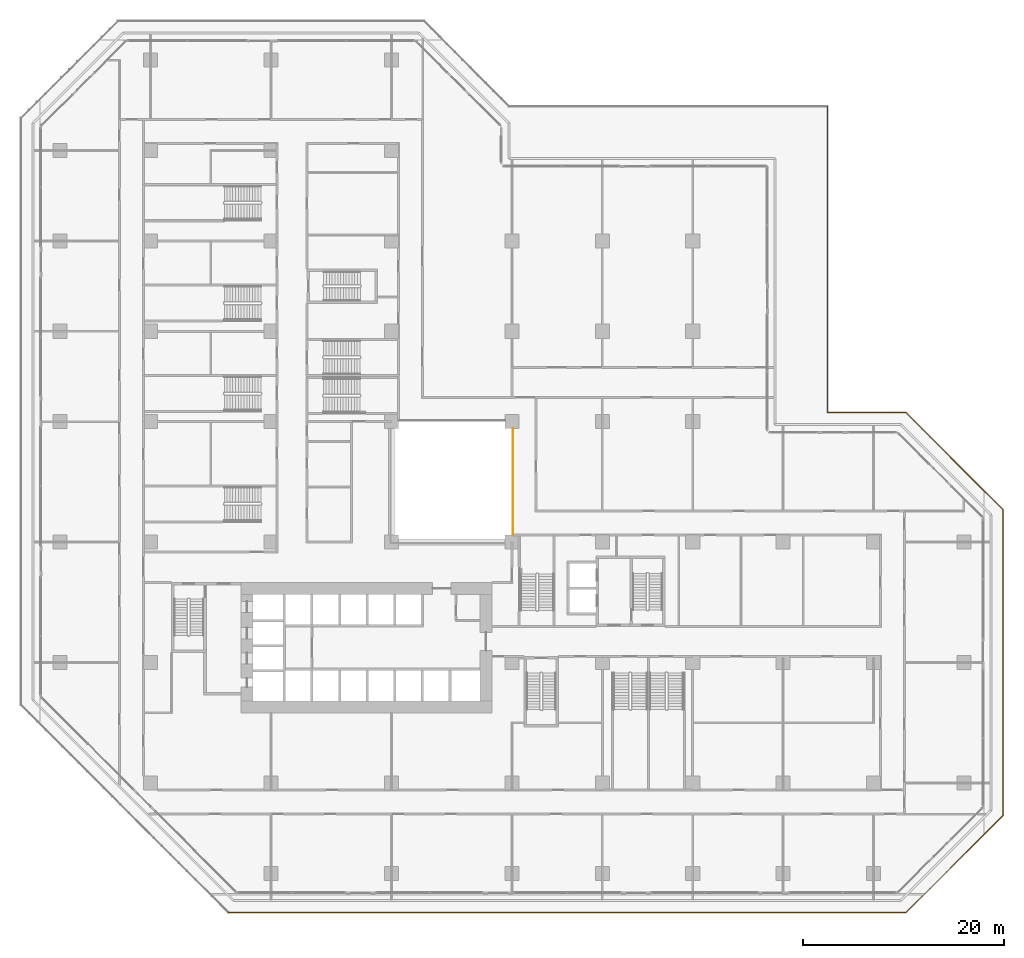
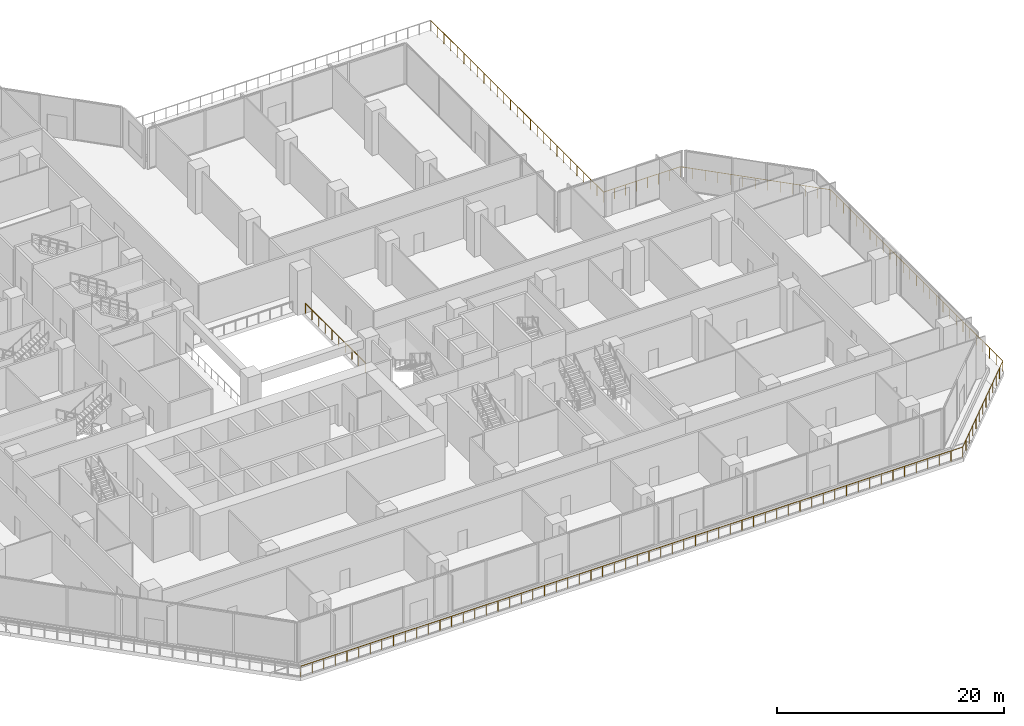
# One storey, part 29 of 31: 2 railings.
"""IFC4 building model written with IfcOpenShell, lengths in metres."""

from ifc_helpers import new_model, si_unit, direction, frame, origin, origin_2d, place, context, subcontext, project, spatial, rectangle, extrude, material, type_object, element, save


model = new_model("IFC4")

# Units and contexts
model_context = context("Model", 3, precision=1e-05, world=origin(), true_north=direction((0.0, 1.0)))
body_context = subcontext(model_context, "Body", "Model", "MODEL_VIEW")
ifc_project = project(units=[si_unit("LENGTHUNIT", "METRE"), si_unit("AREAUNIT", "SQUARE_METRE"), si_unit("VOLUMEUNIT", "CUBIC_METRE"), si_unit("PLANEANGLEUNIT", "RADIAN"), si_unit("MASSUNIT", "GRAM", prefix="KILO")], contexts=[model_context])

# Site, building, storey
site_placement = place(None, origin())
site = spatial("IfcSite", under=ifc_project, at=site_placement, CompositionType="ELEMENT")
building_placement = place(site_placement, origin())
building = spatial("IfcBuilding", under=site, at=building_placement, Name="Chenar Terraces", CompositionType="ELEMENT")
storey_placement = place(building_placement, frame((0.0, 0.0, 12.0)))
storey = spatial("IfcBuildingStorey", under=building, at=storey_placement, Name="L02", CompositionType="ELEMENT", Elevation=12.0)

# Railings
ifc_material_1 = material(Name="Powder-coated steel", Category="steel")
railing_type_1 = type_object("IfcRailingType", Name="Guard 1100 steel rail with glass infill", PredefinedType="GUARDRAIL", material=ifc_material_1)
railing_1_placement = place(storey_placement, frame((36.10009765625, 24.75, 0.0)))
element("IfcRailing", 1, at=railing_1_placement, inside=storey, type_object=railing_type_1, Name="Guard L02-3", PredefinedType="GUARDRAIL", context=body_context, shape_type="SweptSolid", body=[
    extrude(rectangle(XDim=0.06005859375, YDim=0.06005859375, at=origin_2d()), frame((0.0, 0.0, 1.070068359375), z_axis=(0.0, 1.0, 0.0), x_axis=(-1.0, 0.0, 0.0)), (0.0, 0.0, 1.0), 10.550048828125),
    extrude(rectangle(XDim=0.050048828125, YDim=0.050048828125, at=origin_2d()), origin(), (0.0, 0.0, 1.0), 1.0400390625),
    extrude(rectangle(XDim=0.050048828125, YDim=0.050048828125, at=origin_2d()), frame((0.0, 1.172119140625, 0.0)), (0.0, 0.0, 1.0), 1.0400390625),
    extrude(rectangle(XDim=0.050048828125, YDim=0.050048828125, at=origin_2d()), frame((0.0, 2.344482421875, 0.0)), (0.0, 0.0, 1.0), 1.0400390625),
    extrude(rectangle(XDim=0.050048828125, YDim=0.050048828125, at=origin_2d()), frame((0.0, 3.5166015625, 0.0)), (0.0, 0.0, 1.0), 1.0400390625),
    extrude(rectangle(XDim=0.050048828125, YDim=0.050048828125, at=origin_2d()), frame((0.0, 4.68896484375, 0.0)), (0.0, 0.0, 1.0), 1.0400390625),
    extrude(rectangle(XDim=0.050048828125, YDim=0.050048828125, at=origin_2d()), frame((0.0, 5.861083984375, 0.0)), (0.0, 0.0, 1.0), 1.0400390625),
    extrude(rectangle(XDim=0.050048828125, YDim=0.050048828125, at=origin_2d()), frame((0.0, 7.033447265625, 0.0)), (0.0, 0.0, 1.0), 1.0400390625),
    extrude(rectangle(XDim=0.050048828125, YDim=0.050048828125, at=origin_2d()), frame((0.0, 8.20556640625, 0.0)), (0.0, 0.0, 1.0), 1.0400390625),
    extrude(rectangle(XDim=0.050048828125, YDim=0.050048828125, at=origin_2d()), frame((0.0, 9.3779296875, 0.0)), (0.0, 0.0, 1.0), 1.0400390625),
    extrude(rectangle(XDim=0.050048828125, YDim=0.050048828125, at=origin_2d()), frame((0.0, 10.550048828125, 0.0)), (0.0, 0.0, 1.0), 1.0400390625),
])
ifc_material_2 = material(Name="Stainless steel and glass", Category="steel")
railing_type_2 = type_object("IfcRailingType", Name="Terrace guard 1150", PredefinedType="GUARDRAIL", material=ifc_material_2)
railing_2_placement = place(storey_placement, frame((67.39990234375, 67.39990234375, 0.0)))
element("IfcRailing", 2, at=railing_2_placement, inside=storey, type_object=railing_type_2, Name="Terrace guard", PredefinedType="GUARDRAIL", context=body_context, shape_type="SweptSolid", body=[
    extrude(rectangle(XDim=0.048095703125, YDim=0.048095703125, at=origin_2d()), frame((0.0, 0.0, 1.1259765625), z_axis=(0.0, -1.0, 0.0), x_axis=(1.0, 0.0, 0.0)), (0.0, 0.0, 1.0), 30.5),
    extrude(rectangle(XDim=0.048095703125, YDim=0.048095703125, at=origin_2d()), frame((0.0, -30.5, 1.1259765625), z_axis=(1.0, 0.0, 0.0), x_axis=(0.0, 1.0, 0.0)), (0.0, 0.0, 1.0), 7.822021484375),
    extrude(rectangle(XDim=0.048095703125, YDim=0.048095703125, at=origin_2d()), frame((7.822021484375, -30.5, 1.1259765625), z_axis=(0.707106781187, -0.707106781187, 0.0), x_axis=(0.707106781187, 0.707106781187, 0.0)), (0.0, 0.0, 1.0), 13.686767578125),
    extrude(rectangle(XDim=0.048095703125, YDim=0.048095703125, at=origin_2d()), frame((17.5, -40.177978515625, 1.1259765625), z_axis=(0.0, -1.0, 0.0), x_axis=(1.0, 0.0, 0.0)), (0.0, 0.0, 1.0), 30.44384765625),
    extrude(rectangle(XDim=0.048095703125, YDim=0.048095703125, at=origin_2d()), frame((17.5, -70.621826171875, 1.1259765625), z_axis=(-0.707106781187, -0.707106781187, 0.0), x_axis=(0.707106781187, -0.707106781187, 0.0)), (0.0, 0.0, 1.0), 13.686767578125),
    extrude(rectangle(XDim=0.048095703125, YDim=0.048095703125, at=origin_2d()), frame((7.822021484375, -80.2998046875, 1.1259765625), z_axis=(-1.0, 0.0, 0.0), x_axis=(0.0, -1.0, 0.0)), (0.0, 0.0, 1.0), 67.44384765625),
    extrude(rectangle(XDim=0.0419921875, YDim=0.0419921875, at=origin_2d()), origin(), (0.0, 0.0, 1.0), 1.101806640625),
    extrude(rectangle(XDim=0.0419921875, YDim=0.0419921875, at=origin_2d()), frame((0.0, -1.173095703125, 0.0)), (0.0, 0.0, 1.0), 1.101806640625),
    extrude(rectangle(XDim=0.0419921875, YDim=0.0419921875, at=origin_2d()), frame((0.0, -2.34619140625, 0.0)), (0.0, 0.0, 1.0), 1.101806640625),
    extrude(rectangle(XDim=0.0419921875, YDim=0.0419921875, at=origin_2d()), frame((0.0, -3.519287109375, 0.0)), (0.0, 0.0, 1.0), 1.101806640625),
    extrude(rectangle(XDim=0.0419921875, YDim=0.0419921875, at=origin_2d()), frame((0.0, -4.6923828125, 0.0)), (0.0, 0.0, 1.0), 1.101806640625),
    extrude(rectangle(XDim=0.0419921875, YDim=0.0419921875, at=origin_2d()), frame((0.0, -5.865478515625, 0.0)), (0.0, 0.0, 1.0), 1.101806640625),
    extrude(rectangle(XDim=0.0419921875, YDim=0.0419921875, at=origin_2d()), frame((0.0, -7.03857421875, 0.0)), (0.0, 0.0, 1.0), 1.101806640625),
    extrude(rectangle(XDim=0.0419921875, YDim=0.0419921875, at=origin_2d()), frame((0.0, -8.21142578125, 0.0)), (0.0, 0.0, 1.0), 1.101806640625),
    extrude(rectangle(XDim=0.0419921875, YDim=0.0419921875, at=origin_2d()), frame((0.0, -9.384521484375, 0.0)), (0.0, 0.0, 1.0), 1.101806640625),
    extrude(rectangle(XDim=0.0419921875, YDim=0.0419921875, at=origin_2d()), frame((0.0, -10.5576171875, 0.0)), (0.0, 0.0, 1.0), 1.101806640625),
    extrude(rectangle(XDim=0.0419921875, YDim=0.0419921875, at=origin_2d()), frame((0.0, -11.730712890625, 0.0)), (0.0, 0.0, 1.0), 1.101806640625),
    extrude(rectangle(XDim=0.0419921875, YDim=0.0419921875, at=origin_2d()), frame((0.0, -12.90380859375, 0.0)), (0.0, 0.0, 1.0), 1.101806640625),
    extrude(rectangle(XDim=0.0419921875, YDim=0.0419921875, at=origin_2d()), frame((0.0, -14.076904296875, 0.0)), (0.0, 0.0, 1.0), 1.101806640625),
    extrude(rectangle(XDim=0.0419921875, YDim=0.0419921875, at=origin_2d()), frame((0.0, -15.25, 0.0)), (0.0, 0.0, 1.0), 1.101806640625),
    extrude(rectangle(XDim=0.0419921875, YDim=0.0419921875, at=origin_2d()), frame((0.0, -16.423095703125, 0.0)), (0.0, 0.0, 1.0), 1.101806640625),
    extrude(rectangle(XDim=0.0419921875, YDim=0.0419921875, at=origin_2d()), frame((0.0, -17.59619140625, 0.0)), (0.0, 0.0, 1.0), 1.101806640625),
    extrude(rectangle(XDim=0.0419921875, YDim=0.0419921875, at=origin_2d()), frame((0.0, -18.769287109375, 0.0)), (0.0, 0.0, 1.0), 1.101806640625),
    extrude(rectangle(XDim=0.0419921875, YDim=0.0419921875, at=origin_2d()), frame((0.0, -19.9423828125, 0.0)), (0.0, 0.0, 1.0), 1.101806640625),
    extrude(rectangle(XDim=0.0419921875, YDim=0.0419921875, at=origin_2d()), frame((0.0, -21.115478515625, 0.0)), (0.0, 0.0, 1.0), 1.101806640625),
    extrude(rectangle(XDim=0.0419921875, YDim=0.0419921875, at=origin_2d()), frame((0.0, -22.28857421875, 0.0)), (0.0, 0.0, 1.0), 1.101806640625),
    extrude(rectangle(XDim=0.0419921875, YDim=0.0419921875, at=origin_2d()), frame((0.0, -23.46142578125, 0.0)), (0.0, 0.0, 1.0), 1.101806640625),
    extrude(rectangle(XDim=0.0419921875, YDim=0.0419921875, at=origin_2d()), frame((0.0, -24.634521484375, 0.0)), (0.0, 0.0, 1.0), 1.101806640625),
    extrude(rectangle(XDim=0.0419921875, YDim=0.0419921875, at=origin_2d()), frame((0.0, -25.8076171875, 0.0)), (0.0, 0.0, 1.0), 1.101806640625),
    extrude(rectangle(XDim=0.0419921875, YDim=0.0419921875, at=origin_2d()), frame((0.0, -26.980712890625, 0.0)), (0.0, 0.0, 1.0), 1.101806640625),
    extrude(rectangle(XDim=0.0419921875, YDim=0.0419921875, at=origin_2d()), frame((0.0, -28.15380859375, 0.0)), (0.0, 0.0, 1.0), 1.101806640625),
    extrude(rectangle(XDim=0.0419921875, YDim=0.0419921875, at=origin_2d()), frame((0.0, -29.326904296875, 0.0)), (0.0, 0.0, 1.0), 1.101806640625),
    extrude(rectangle(XDim=0.0419921875, YDim=0.0419921875, at=origin_2d()), frame((0.0, -30.5, 0.0)), (0.0, 0.0, 1.0), 1.101806640625),
    extrude(rectangle(XDim=0.0419921875, YDim=0.0419921875, at=origin_2d()), frame((1.117431640625, -30.5, 0.0)), (0.0, 0.0, 1.0), 1.101806640625),
    extrude(rectangle(XDim=0.0419921875, YDim=0.0419921875, at=origin_2d()), frame((2.23486328125, -30.5, 0.0)), (0.0, 0.0, 1.0), 1.101806640625),
    extrude(rectangle(XDim=0.0419921875, YDim=0.0419921875, at=origin_2d()), frame((3.352294921875, -30.5, 0.0)), (0.0, 0.0, 1.0), 1.101806640625),
    extrude(rectangle(XDim=0.0419921875, YDim=0.0419921875, at=origin_2d()), frame((4.4697265625, -30.5, 0.0)), (0.0, 0.0, 1.0), 1.101806640625),
    extrude(rectangle(XDim=0.0419921875, YDim=0.0419921875, at=origin_2d()), frame((5.587158203125, -30.5, 0.0)), (0.0, 0.0, 1.0), 1.101806640625),
    extrude(rectangle(XDim=0.0419921875, YDim=0.0419921875, at=origin_2d()), frame((6.70458984375, -30.5, 0.0)), (0.0, 0.0, 1.0), 1.101806640625),
    extrude(rectangle(XDim=0.0419921875, YDim=0.0419921875, at=origin_2d()), frame((7.822021484375, -30.5, 0.0)), (0.0, 0.0, 1.0), 1.101806640625),
    extrude(rectangle(XDim=0.0419921875, YDim=0.0419921875, at=origin_2d()), frame((8.62841796875, -31.306396484375, 0.0)), (0.0, 0.0, 1.0), 1.101806640625),
    extrude(rectangle(XDim=0.0419921875, YDim=0.0419921875, at=origin_2d()), frame((9.43505859375, -32.113037109375, 0.0)), (0.0, 0.0, 1.0), 1.101806640625),
    extrude(rectangle(XDim=0.0419921875, YDim=0.0419921875, at=origin_2d()), frame((10.241455078125, -32.91943359375, 0.0)), (0.0, 0.0, 1.0), 1.101806640625),
    extrude(rectangle(XDim=0.0419921875, YDim=0.0419921875, at=origin_2d()), frame((11.048095703125, -33.72607421875, 0.0)), (0.0, 0.0, 1.0), 1.101806640625),
    extrude(rectangle(XDim=0.0419921875, YDim=0.0419921875, at=origin_2d()), frame((11.8544921875, -34.532470703125, 0.0)), (0.0, 0.0, 1.0), 1.101806640625),
    extrude(rectangle(XDim=0.0419921875, YDim=0.0419921875, at=origin_2d()), frame((12.6611328125, -35.3388671875, 0.0)), (0.0, 0.0, 1.0), 1.101806640625),
    extrude(rectangle(XDim=0.0419921875, YDim=0.0419921875, at=origin_2d()), frame((13.467529296875, -36.1455078125, 0.0)), (0.0, 0.0, 1.0), 1.101806640625),
    extrude(rectangle(XDim=0.0419921875, YDim=0.0419921875, at=origin_2d()), frame((14.27392578125, -36.951904296875, 0.0)), (0.0, 0.0, 1.0), 1.101806640625),
    extrude(rectangle(XDim=0.0419921875, YDim=0.0419921875, at=origin_2d()), frame((15.08056640625, -37.758544921875, 0.0)), (0.0, 0.0, 1.0), 1.101806640625),
    extrude(rectangle(XDim=0.0419921875, YDim=0.0419921875, at=origin_2d()), frame((15.886962890625, -38.56494140625, 0.0)), (0.0, 0.0, 1.0), 1.101806640625),
    extrude(rectangle(XDim=0.0419921875, YDim=0.0419921875, at=origin_2d()), frame((16.693603515625, -39.37158203125, 0.0)), (0.0, 0.0, 1.0), 1.101806640625),
    extrude(rectangle(XDim=0.0419921875, YDim=0.0419921875, at=origin_2d()), frame((17.5, -40.177978515625, 0.0)), (0.0, 0.0, 1.0), 1.101806640625),
    extrude(rectangle(XDim=0.0419921875, YDim=0.0419921875, at=origin_2d()), frame((17.5, -41.348876953125, 0.0)), (0.0, 0.0, 1.0), 1.101806640625),
    extrude(rectangle(XDim=0.0419921875, YDim=0.0419921875, at=origin_2d()), frame((17.5, -42.519775390625, 0.0)), (0.0, 0.0, 1.0), 1.101806640625),
    extrude(rectangle(XDim=0.0419921875, YDim=0.0419921875, at=origin_2d()), frame((17.5, -43.690673828125, 0.0)), (0.0, 0.0, 1.0), 1.101806640625),
    extrude(rectangle(XDim=0.0419921875, YDim=0.0419921875, at=origin_2d()), frame((17.5, -44.861572265625, 0.0)), (0.0, 0.0, 1.0), 1.101806640625),
    extrude(rectangle(XDim=0.0419921875, YDim=0.0419921875, at=origin_2d()), frame((17.5, -46.032470703125, 0.0)), (0.0, 0.0, 1.0), 1.101806640625),
    extrude(rectangle(XDim=0.0419921875, YDim=0.0419921875, at=origin_2d()), frame((17.5, -47.203369140625, 0.0)), (0.0, 0.0, 1.0), 1.101806640625),
    extrude(rectangle(XDim=0.0419921875, YDim=0.0419921875, at=origin_2d()), frame((17.5, -48.37451171875, 0.0)), (0.0, 0.0, 1.0), 1.101806640625),
    extrude(rectangle(XDim=0.0419921875, YDim=0.0419921875, at=origin_2d()), frame((17.5, -49.54541015625, 0.0)), (0.0, 0.0, 1.0), 1.101806640625),
    extrude(rectangle(XDim=0.0419921875, YDim=0.0419921875, at=origin_2d()), frame((17.5, -50.71630859375, 0.0)), (0.0, 0.0, 1.0), 1.101806640625),
    extrude(rectangle(XDim=0.0419921875, YDim=0.0419921875, at=origin_2d()), frame((17.5, -51.88720703125, 0.0)), (0.0, 0.0, 1.0), 1.101806640625),
    extrude(rectangle(XDim=0.0419921875, YDim=0.0419921875, at=origin_2d()), frame((17.5, -53.05810546875, 0.0)), (0.0, 0.0, 1.0), 1.101806640625),
    extrude(rectangle(XDim=0.0419921875, YDim=0.0419921875, at=origin_2d()), frame((17.5, -54.22900390625, 0.0)), (0.0, 0.0, 1.0), 1.101806640625),
    extrude(rectangle(XDim=0.0419921875, YDim=0.0419921875, at=origin_2d()), frame((17.5, -55.39990234375, 0.0)), (0.0, 0.0, 1.0), 1.101806640625),
    extrude(rectangle(XDim=0.0419921875, YDim=0.0419921875, at=origin_2d()), frame((17.5, -56.57080078125, 0.0)), (0.0, 0.0, 1.0), 1.101806640625),
    extrude(rectangle(XDim=0.0419921875, YDim=0.0419921875, at=origin_2d()), frame((17.5, -57.74169921875, 0.0)), (0.0, 0.0, 1.0), 1.101806640625),
    extrude(rectangle(XDim=0.0419921875, YDim=0.0419921875, at=origin_2d()), frame((17.5, -58.91259765625, 0.0)), (0.0, 0.0, 1.0), 1.101806640625),
    extrude(rectangle(XDim=0.0419921875, YDim=0.0419921875, at=origin_2d()), frame((17.5, -60.08349609375, 0.0)), (0.0, 0.0, 1.0), 1.101806640625),
    extrude(rectangle(XDim=0.0419921875, YDim=0.0419921875, at=origin_2d()), frame((17.5, -61.25439453125, 0.0)), (0.0, 0.0, 1.0), 1.101806640625),
    extrude(rectangle(XDim=0.0419921875, YDim=0.0419921875, at=origin_2d()), frame((17.5, -62.42529296875, 0.0)), (0.0, 0.0, 1.0), 1.101806640625),
    extrude(rectangle(XDim=0.0419921875, YDim=0.0419921875, at=origin_2d()), frame((17.5, -63.596435546875, 0.0)), (0.0, 0.0, 1.0), 1.101806640625),
    extrude(rectangle(XDim=0.0419921875, YDim=0.0419921875, at=origin_2d()), frame((17.5, -64.767333984375, 0.0)), (0.0, 0.0, 1.0), 1.101806640625),
    extrude(rectangle(XDim=0.0419921875, YDim=0.0419921875, at=origin_2d()), frame((17.5, -65.938232421875, 0.0)), (0.0, 0.0, 1.0), 1.101806640625),
    extrude(rectangle(XDim=0.0419921875, YDim=0.0419921875, at=origin_2d()), frame((17.5, -67.109130859375, 0.0)), (0.0, 0.0, 1.0), 1.101806640625),
    extrude(rectangle(XDim=0.0419921875, YDim=0.0419921875, at=origin_2d()), frame((17.5, -68.280029296875, 0.0)), (0.0, 0.0, 1.0), 1.101806640625),
    extrude(rectangle(XDim=0.0419921875, YDim=0.0419921875, at=origin_2d()), frame((17.5, -69.450927734375, 0.0)), (0.0, 0.0, 1.0), 1.101806640625),
    extrude(rectangle(XDim=0.0419921875, YDim=0.0419921875, at=origin_2d()), frame((17.5, -70.621826171875, 0.0)), (0.0, 0.0, 1.0), 1.101806640625),
    extrude(rectangle(XDim=0.0419921875, YDim=0.0419921875, at=origin_2d()), frame((16.693603515625, -71.42822265625, 0.0)), (0.0, 0.0, 1.0), 1.101806640625),
    extrude(rectangle(XDim=0.0419921875, YDim=0.0419921875, at=origin_2d()), frame((15.886962890625, -72.23486328125, 0.0)), (0.0, 0.0, 1.0), 1.101806640625),
    extrude(rectangle(XDim=0.0419921875, YDim=0.0419921875, at=origin_2d()), frame((15.08056640625, -73.041259765625, 0.0)), (0.0, 0.0, 1.0), 1.101806640625),
    extrude(rectangle(XDim=0.0419921875, YDim=0.0419921875, at=origin_2d()), frame((14.27392578125, -73.847900390625, 0.0)), (0.0, 0.0, 1.0), 1.101806640625),
    extrude(rectangle(XDim=0.0419921875, YDim=0.0419921875, at=origin_2d()), frame((13.467529296875, -74.654296875, 0.0)), (0.0, 0.0, 1.0), 1.101806640625),
    extrude(rectangle(XDim=0.0419921875, YDim=0.0419921875, at=origin_2d()), frame((12.6611328125, -75.4609375, 0.0)), (0.0, 0.0, 1.0), 1.101806640625),
    extrude(rectangle(XDim=0.0419921875, YDim=0.0419921875, at=origin_2d()), frame((11.8544921875, -76.267333984375, 0.0)), (0.0, 0.0, 1.0), 1.101806640625),
    extrude(rectangle(XDim=0.0419921875, YDim=0.0419921875, at=origin_2d()), frame((11.048095703125, -77.07373046875, 0.0)), (0.0, 0.0, 1.0), 1.101806640625),
    extrude(rectangle(XDim=0.0419921875, YDim=0.0419921875, at=origin_2d()), frame((10.241455078125, -77.88037109375, 0.0)), (0.0, 0.0, 1.0), 1.101806640625),
    extrude(rectangle(XDim=0.0419921875, YDim=0.0419921875, at=origin_2d()), frame((9.43505859375, -78.686767578125, 0.0)), (0.0, 0.0, 1.0), 1.101806640625),
    extrude(rectangle(XDim=0.0419921875, YDim=0.0419921875, at=origin_2d()), frame((8.62841796875, -79.493408203125, 0.0)), (0.0, 0.0, 1.0), 1.101806640625),
    extrude(rectangle(XDim=0.0419921875, YDim=0.0419921875, at=origin_2d()), frame((7.822021484375, -80.2998046875, 0.0)), (0.0, 0.0, 1.0), 1.101806640625),
    extrude(rectangle(XDim=0.0419921875, YDim=0.0419921875, at=origin_2d()), frame((6.638916015625, -80.2998046875, 0.0)), (0.0, 0.0, 1.0), 1.101806640625),
    extrude(rectangle(XDim=0.0419921875, YDim=0.0419921875, at=origin_2d()), frame((5.45556640625, -80.2998046875, 0.0)), (0.0, 0.0, 1.0), 1.101806640625),
    extrude(rectangle(XDim=0.0419921875, YDim=0.0419921875, at=origin_2d()), frame((4.2724609375, -80.2998046875, 0.0)), (0.0, 0.0, 1.0), 1.101806640625),
    extrude(rectangle(XDim=0.0419921875, YDim=0.0419921875, at=origin_2d()), frame((3.089111328125, -80.2998046875, 0.0)), (0.0, 0.0, 1.0), 1.101806640625),
    extrude(rectangle(XDim=0.0419921875, YDim=0.0419921875, at=origin_2d()), frame((1.906005859375, -80.2998046875, 0.0)), (0.0, 0.0, 1.0), 1.101806640625),
    extrude(rectangle(XDim=0.0419921875, YDim=0.0419921875, at=origin_2d()), frame((0.72265625, -80.2998046875, 0.0)), (0.0, 0.0, 1.0), 1.101806640625),
    extrude(rectangle(XDim=0.0419921875, YDim=0.0419921875, at=origin_2d()), frame((-0.46044921875, -80.2998046875, 0.0)), (0.0, 0.0, 1.0), 1.101806640625),
    extrude(rectangle(XDim=0.0419921875, YDim=0.0419921875, at=origin_2d()), frame((-1.643798828125, -80.2998046875, 0.0)), (0.0, 0.0, 1.0), 1.101806640625),
    extrude(rectangle(XDim=0.0419921875, YDim=0.0419921875, at=origin_2d()), frame((-2.826904296875, -80.2998046875, 0.0)), (0.0, 0.0, 1.0), 1.101806640625),
    extrude(rectangle(XDim=0.0419921875, YDim=0.0419921875, at=origin_2d()), frame((-4.01025390625, -80.2998046875, 0.0)), (0.0, 0.0, 1.0), 1.101806640625),
    extrude(rectangle(XDim=0.0419921875, YDim=0.0419921875, at=origin_2d()), frame((-5.193359375, -80.2998046875, 0.0)), (0.0, 0.0, 1.0), 1.101806640625),
    extrude(rectangle(XDim=0.0419921875, YDim=0.0419921875, at=origin_2d()), frame((-6.376708984375, -80.2998046875, 0.0)), (0.0, 0.0, 1.0), 1.101806640625),
    extrude(rectangle(XDim=0.0419921875, YDim=0.0419921875, at=origin_2d()), frame((-7.559814453125, -80.2998046875, 0.0)), (0.0, 0.0, 1.0), 1.101806640625),
    extrude(rectangle(XDim=0.0419921875, YDim=0.0419921875, at=origin_2d()), frame((-8.7431640625, -80.2998046875, 0.0)), (0.0, 0.0, 1.0), 1.101806640625),
    extrude(rectangle(XDim=0.0419921875, YDim=0.0419921875, at=origin_2d()), frame((-9.92626953125, -80.2998046875, 0.0)), (0.0, 0.0, 1.0), 1.101806640625),
    extrude(rectangle(XDim=0.0419921875, YDim=0.0419921875, at=origin_2d()), frame((-11.109619140625, -80.2998046875, 0.0)), (0.0, 0.0, 1.0), 1.101806640625),
    extrude(rectangle(XDim=0.0419921875, YDim=0.0419921875, at=origin_2d()), frame((-12.292724609375, -80.2998046875, 0.0)), (0.0, 0.0, 1.0), 1.101806640625),
    extrude(rectangle(XDim=0.0419921875, YDim=0.0419921875, at=origin_2d()), frame((-13.47607421875, -80.2998046875, 0.0)), (0.0, 0.0, 1.0), 1.101806640625),
    extrude(rectangle(XDim=0.0419921875, YDim=0.0419921875, at=origin_2d()), frame((-14.6591796875, -80.2998046875, 0.0)), (0.0, 0.0, 1.0), 1.101806640625),
    extrude(rectangle(XDim=0.0419921875, YDim=0.0419921875, at=origin_2d()), frame((-15.842529296875, -80.2998046875, 0.0)), (0.0, 0.0, 1.0), 1.101806640625),
    extrude(rectangle(XDim=0.0419921875, YDim=0.0419921875, at=origin_2d()), frame((-17.025634765625, -80.2998046875, 0.0)), (0.0, 0.0, 1.0), 1.101806640625),
    extrude(rectangle(XDim=0.0419921875, YDim=0.0419921875, at=origin_2d()), frame((-18.208984375, -80.2998046875, 0.0)), (0.0, 0.0, 1.0), 1.101806640625),
    extrude(rectangle(XDim=0.0419921875, YDim=0.0419921875, at=origin_2d()), frame((-19.39208984375, -80.2998046875, 0.0)), (0.0, 0.0, 1.0), 1.101806640625),
    extrude(rectangle(XDim=0.0419921875, YDim=0.0419921875, at=origin_2d()), frame((-20.575439453125, -80.2998046875, 0.0)), (0.0, 0.0, 1.0), 1.101806640625),
    extrude(rectangle(XDim=0.0419921875, YDim=0.0419921875, at=origin_2d()), frame((-21.758544921875, -80.2998046875, 0.0)), (0.0, 0.0, 1.0), 1.101806640625),
    extrude(rectangle(XDim=0.0419921875, YDim=0.0419921875, at=origin_2d()), frame((-22.94189453125, -80.2998046875, 0.0)), (0.0, 0.0, 1.0), 1.101806640625),
    extrude(rectangle(XDim=0.0419921875, YDim=0.0419921875, at=origin_2d()), frame((-24.125, -80.2998046875, 0.0)), (0.0, 0.0, 1.0), 1.101806640625),
    extrude(rectangle(XDim=0.0419921875, YDim=0.0419921875, at=origin_2d()), frame((-25.308349609375, -80.2998046875, 0.0)), (0.0, 0.0, 1.0), 1.101806640625),
    extrude(rectangle(XDim=0.0419921875, YDim=0.0419921875, at=origin_2d()), frame((-26.491455078125, -80.2998046875, 0.0)), (0.0, 0.0, 1.0), 1.101806640625),
    extrude(rectangle(XDim=0.0419921875, YDim=0.0419921875, at=origin_2d()), frame((-27.6748046875, -80.2998046875, 0.0)), (0.0, 0.0, 1.0), 1.101806640625),
    extrude(rectangle(XDim=0.0419921875, YDim=0.0419921875, at=origin_2d()), frame((-28.85791015625, -80.2998046875, 0.0)), (0.0, 0.0, 1.0), 1.101806640625),
    extrude(rectangle(XDim=0.0419921875, YDim=0.0419921875, at=origin_2d()), frame((-30.041259765625, -80.2998046875, 0.0)), (0.0, 0.0, 1.0), 1.101806640625),
    extrude(rectangle(XDim=0.0419921875, YDim=0.0419921875, at=origin_2d()), frame((-31.224365234375, -80.2998046875, 0.0)), (0.0, 0.0, 1.0), 1.101806640625),
    extrude(rectangle(XDim=0.0419921875, YDim=0.0419921875, at=origin_2d()), frame((-32.40771484375, -80.2998046875, 0.0)), (0.0, 0.0, 1.0), 1.101806640625),
    extrude(rectangle(XDim=0.0419921875, YDim=0.0419921875, at=origin_2d()), frame((-33.5908203125, -80.2998046875, 0.0)), (0.0, 0.0, 1.0), 1.101806640625),
    extrude(rectangle(XDim=0.0419921875, YDim=0.0419921875, at=origin_2d()), frame((-34.774169921875, -80.2998046875, 0.0)), (0.0, 0.0, 1.0), 1.101806640625),
    extrude(rectangle(XDim=0.0419921875, YDim=0.0419921875, at=origin_2d()), frame((-35.957275390625, -80.2998046875, 0.0)), (0.0, 0.0, 1.0), 1.101806640625),
    extrude(rectangle(XDim=0.0419921875, YDim=0.0419921875, at=origin_2d()), frame((-37.140625, -80.2998046875, 0.0)), (0.0, 0.0, 1.0), 1.101806640625),
    extrude(rectangle(XDim=0.0419921875, YDim=0.0419921875, at=origin_2d()), frame((-38.32373046875, -80.2998046875, 0.0)), (0.0, 0.0, 1.0), 1.101806640625),
    extrude(rectangle(XDim=0.0419921875, YDim=0.0419921875, at=origin_2d()), frame((-39.507080078125, -80.2998046875, 0.0)), (0.0, 0.0, 1.0), 1.101806640625),
    extrude(rectangle(XDim=0.0419921875, YDim=0.0419921875, at=origin_2d()), frame((-40.690185546875, -80.2998046875, 0.0)), (0.0, 0.0, 1.0), 1.101806640625),
    extrude(rectangle(XDim=0.0419921875, YDim=0.0419921875, at=origin_2d()), frame((-41.87353515625, -80.2998046875, 0.0)), (0.0, 0.0, 1.0), 1.101806640625),
    extrude(rectangle(XDim=0.0419921875, YDim=0.0419921875, at=origin_2d()), frame((-43.056640625, -80.2998046875, 0.0)), (0.0, 0.0, 1.0), 1.101806640625),
    extrude(rectangle(XDim=0.0419921875, YDim=0.0419921875, at=origin_2d()), frame((-44.239990234375, -80.2998046875, 0.0)), (0.0, 0.0, 1.0), 1.101806640625),
    extrude(rectangle(XDim=0.0419921875, YDim=0.0419921875, at=origin_2d()), frame((-45.423095703125, -80.2998046875, 0.0)), (0.0, 0.0, 1.0), 1.101806640625),
    extrude(rectangle(XDim=0.0419921875, YDim=0.0419921875, at=origin_2d()), frame((-46.6064453125, -80.2998046875, 0.0)), (0.0, 0.0, 1.0), 1.101806640625),
    extrude(rectangle(XDim=0.0419921875, YDim=0.0419921875, at=origin_2d()), frame((-47.78955078125, -80.2998046875, 0.0)), (0.0, 0.0, 1.0), 1.101806640625),
    extrude(rectangle(XDim=0.0419921875, YDim=0.0419921875, at=origin_2d()), frame((-48.972900390625, -80.2998046875, 0.0)), (0.0, 0.0, 1.0), 1.101806640625),
    extrude(rectangle(XDim=0.0419921875, YDim=0.0419921875, at=origin_2d()), frame((-50.156005859375, -80.2998046875, 0.0)), (0.0, 0.0, 1.0), 1.101806640625),
    extrude(rectangle(XDim=0.0419921875, YDim=0.0419921875, at=origin_2d()), frame((-51.33935546875, -80.2998046875, 0.0)), (0.0, 0.0, 1.0), 1.101806640625),
    extrude(rectangle(XDim=0.0419921875, YDim=0.0419921875, at=origin_2d()), frame((-52.5224609375, -80.2998046875, 0.0)), (0.0, 0.0, 1.0), 1.101806640625),
    extrude(rectangle(XDim=0.0419921875, YDim=0.0419921875, at=origin_2d()), frame((-53.705810546875, -80.2998046875, 0.0)), (0.0, 0.0, 1.0), 1.101806640625),
    extrude(rectangle(XDim=0.0419921875, YDim=0.0419921875, at=origin_2d()), frame((-54.888916015625, -80.2998046875, 0.0)), (0.0, 0.0, 1.0), 1.101806640625),
    extrude(rectangle(XDim=0.0419921875, YDim=0.0419921875, at=origin_2d()), frame((-56.072265625, -80.2998046875, 0.0)), (0.0, 0.0, 1.0), 1.101806640625),
    extrude(rectangle(XDim=0.0419921875, YDim=0.0419921875, at=origin_2d()), frame((-57.25537109375, -80.2998046875, 0.0)), (0.0, 0.0, 1.0), 1.101806640625),
    extrude(rectangle(XDim=0.0419921875, YDim=0.0419921875, at=origin_2d()), frame((-58.438720703125, -80.2998046875, 0.0)), (0.0, 0.0, 1.0), 1.101806640625),
    extrude(rectangle(XDim=0.0419921875, YDim=0.0419921875, at=origin_2d()), frame((-59.621826171875, -80.2998046875, 0.0)), (0.0, 0.0, 1.0), 1.101806640625),
])

save(model, "model.ifc")
